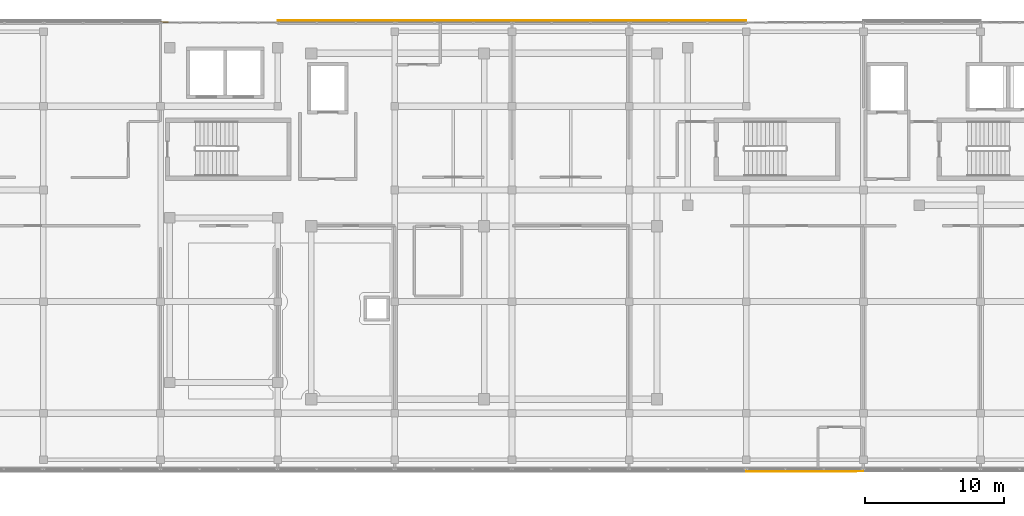
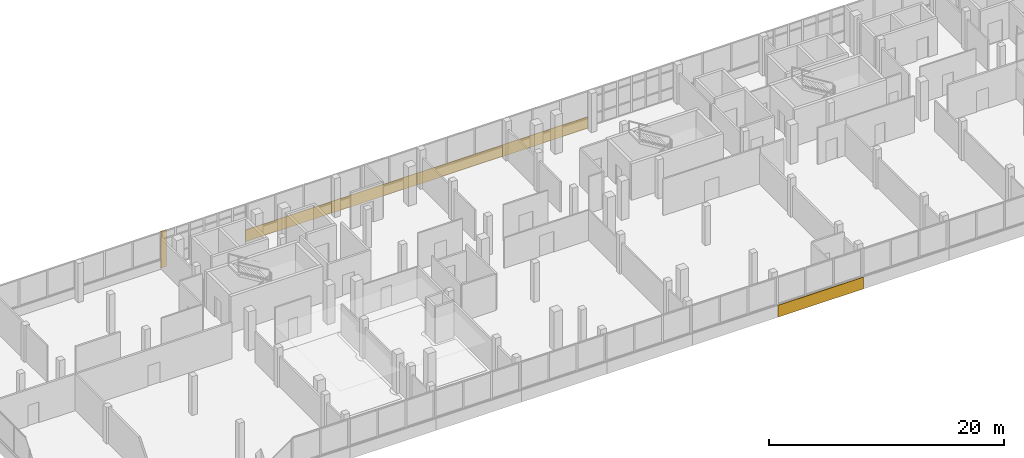
# One storey, part 63 of 66: 6 coverings.
"""IFC4 building model written with IfcOpenShell, lengths in metres."""

import ifcopenshell
import ifcopenshell.guid

model = None  # the IFC model being written
_history = None  # IfcOwnerHistory: only IFC2X3 demands one
_inside = {}  # id of a spatial element -> (the spatial element, [elements in it])
_under = {}  # id of a project, library or spatial element -> (it, [spatial elements below it])
_declared = {}  # id of a project -> (the project, [libraries it declares])
_typed = {}  # id of a type object -> (the type object, [elements of that type])
_made_of = {}  # id of a material, layer set ... -> (it, [elements and type objects made of it])


def new_model(schema):
    """Start an empty IFC model of exactly this schema.

    Asked for "IFC4X3", IfcOpenShell would pick the latest addendum, in which some entities
    have other attributes; the version numbers below select the first issue.
    IFC2X3 requires an IfcOwnerHistory on every rooted entity: one is made here for all.
    """
    global model, _history
    if schema == "IFC4X3":
        model = ifcopenshell.file(schema_version=(4, 3, 0, 0))
    else:
        model = ifcopenshell.file(schema=schema)
    _inside.clear()
    _under.clear()
    _declared.clear()
    _typed.clear()
    _made_of.clear()
    _history = None
    if model.schema == "IFC2X3":
        org = make("IfcOrganization", Name="unknown")
        user = make(
            "IfcPersonAndOrganization",
            ThePerson=make("IfcPerson", FamilyName="unknown"),
            TheOrganization=org,
        )
        app = make(
            "IfcApplication",
            ApplicationDeveloper=org,
            Version="unknown",
            ApplicationFullName="unknown",
            ApplicationIdentifier="unknown",
        )
        _history = make(
            "IfcOwnerHistory",
            OwningUser=user,
            OwningApplication=app,
            ChangeAction="ADDED",
            CreationDate=0,
        )
    return model


def make(cls, **values):
    """One entity of the class cls with the attributes given. An attribute that is None is left unset."""
    return model.create_entity(
        cls, **{name: value for name, value in values.items() if value is not None}
    )


def rooted(cls, **values):
    """An entity with a GlobalId (a new one), such as an element, a storey or a relation."""
    return make(cls, GlobalId=ifcopenshell.guid.new(), OwnerHistory=_history, **values)


def si_unit(unit_type, name, prefix=None):
    """IfcSIUnit, for example si_unit("LENGTHUNIT", "METRE", prefix="MILLI")."""
    return make("IfcSIUnit", UnitType=unit_type, Prefix=prefix, Name=name)


def assignment(units):
    """IfcUnitAssignment: the units of a project."""
    return None if units is None else make("IfcUnitAssignment", Units=units)


def point(xyz):
    """IfcCartesianPoint."""
    return None if xyz is None else make("IfcCartesianPoint", Coordinates=xyz)


def direction(xyz):
    """IfcDirection."""
    return None if xyz is None else make("IfcDirection", DirectionRatios=xyz)


def frame(location, z_axis=None, x_axis=None):
    """IfcAxis2Placement3D, a coordinate frame: its origin and axes. An axis left out is left unset."""
    return make(
        "IfcAxis2Placement3D",
        Location=point(location),
        Axis=direction(z_axis),
        RefDirection=direction(x_axis),
    )


def frame_2d(location, x_axis=None):
    """IfcAxis2Placement2D, a coordinate frame in the plane: its origin and x axis."""
    return make(
        "IfcAxis2Placement2D", Location=point(location), RefDirection=direction(x_axis)
    )


def origin():
    """The frame at (0, 0, 0) with its axes left unset."""
    return frame((0.0, 0.0, 0.0))


def origin_2d():
    """The frame at (0, 0) in the plane with its x axis left unset."""
    return frame_2d((0.0, 0.0))


def place(relative_to, where):
    """IfcLocalPlacement: puts the frame where relative to a parent placement (None: the world)."""
    return make(
        "IfcLocalPlacement", PlacementRelTo=relative_to, RelativePlacement=where
    )


def context(
    kind, dimensions, precision=None, world=None, true_north=None, identifier=None
):
    """IfcGeometricRepresentationContext, for example the 3D "Model" context."""
    return make(
        "IfcGeometricRepresentationContext",
        ContextIdentifier=identifier,
        ContextType=kind,
        CoordinateSpaceDimension=dimensions,
        Precision=precision,
        WorldCoordinateSystem=world,
        TrueNorth=true_north,
    )


def subcontext(parent, identifier, kind, view, scale=None):
    """IfcGeometricRepresentationSubContext, for example "Body" below "Model"."""
    return make(
        "IfcGeometricRepresentationSubContext",
        ContextIdentifier=identifier,
        ContextType=kind,
        ParentContext=parent,
        TargetScale=scale,
        TargetView=view,
    )


def project(units=None, contexts=None):
    """IfcProject with its units and contexts."""
    return rooted(
        "IfcProject",
        Name="project",
        RepresentationContexts=contexts,
        UnitsInContext=assignment(units),
    )


def spatial(cls, under=None, at=None, **own):
    """A site, building, storey or space (cls), placed at a placement, below another one or the project."""
    s = rooted(cls, ObjectPlacement=at, **own)
    if under is not None:
        _under.setdefault(under.id(), (under, []))[1].append(s)
    return s


def profile(cls, at=None, kind="AREA", **sizes):
    """A parametric profile (cls). Its sizes go by their IFC names, for example OverallWidth=200.0."""
    return make(cls, ProfileType=kind, Position=at, **sizes)


def rectangle(**sizes):
    """IfcRectangleProfileDef."""
    return profile("IfcRectangleProfileDef", **sizes)


def extrude(swept, where, along, depth):
    """IfcExtrudedAreaSolid: the profile swept, set in the frame where, extruded along a direction by depth."""
    return make(
        "IfcExtrudedAreaSolid",
        SweptArea=swept,
        Position=where,
        ExtrudedDirection=direction(along),
        Depth=depth,
    )


def shape(context_of_items, identifier, shape_type, items):
    """IfcShapeRepresentation: the items that make up one representation, for example the "Body"."""
    return make(
        "IfcShapeRepresentation",
        ContextOfItems=context_of_items,
        RepresentationIdentifier=identifier,
        RepresentationType=shape_type,
        Items=items,
    )


def material(Name=None, Category=None):
    """IfcMaterial."""
    return make("IfcMaterial", Name=Name, Category=Category)


def layer(
    of_material, thickness, ventilated=None, Name=None, Category=None, Priority=None
):
    """IfcMaterialLayer: one layer of a wall or slab, of a material (None: an air gap)."""
    return make(
        "IfcMaterialLayer",
        Material=of_material,
        LayerThickness=thickness,
        IsVentilated=ventilated,
        Name=Name,
        Category=Category,
        Priority=Priority,
    )


def layer_set(layers, Name=None):
    """IfcMaterialLayerSet."""
    return make("IfcMaterialLayerSet", MaterialLayers=layers, LayerSetName=Name)


def made_of(thing, what):
    """Note that an element or type object is made of a material, layer set ...; save() writes the relation."""
    if what is not None:
        _made_of.setdefault(what.id(), (what, []))[1].append(thing)
    return thing


def type_object(cls, material=None, **own):
    """A type object (cls), such as IfcWallType, which elements share."""
    return made_of(rooted(cls, **own), material)


def element(
    cls,
    number,
    at=None,
    inside=None,
    cuts=None,
    type_object=None,
    material=None,
    context=None,
    identifier="Body",
    shape_type=None,
    held_by="IfcProductDefinitionShape",
    body=None,
    shapes=None,
    **own,
):
    """One element of the class cls, such as IfcWall. Its Tag is "e" and its number.

    at: its placement. inside: the storey or other place that contains it. cuts: it is an
    opening in that element (IfcRelVoidsElement). A single representation is given by context,
    identifier, shape_type and body (its items); several are given by shapes. held_by: the class
    of the entity that holds the representations. save() writes the other relations.
    """
    e = rooted(cls, Tag="e%d" % number, ObjectPlacement=at, **own)
    if body is not None:
        shapes = [shape(context, identifier, shape_type, body)]
    if shapes is not None:
        e.Representation = make(held_by, Representations=shapes)
    if inside is not None:
        _inside.setdefault(inside.id(), (inside, []))[1].append(e)
    if cuts is not None:
        rooted(
            "IfcRelVoidsElement", RelatingBuildingElement=cuts, RelatedOpeningElement=e
        )
    if type_object is not None:
        _typed.setdefault(type_object.id(), (type_object, []))[1].append(e)
    return made_of(e, material)


def aggregate(whole, parts):
    """IfcRelAggregates: a whole, such as a stair, and the parts it consists of."""
    return rooted("IfcRelAggregates", RelatingObject=whole, RelatedObjects=parts)


def save(model, path):
    """Write the relations noted so far, then the file.

    IfcRelAggregates (storeys below a building ...), IfcRelContainedInSpatialStructure (elements
    in a storey), IfcRelDefinesByType, IfcRelAssociatesMaterial and IfcRelDeclares: one each for
    every whole, place, type object, material and project.
    """
    for whole, parts in _under.values():
        aggregate(whole, parts)
    for where, things in _inside.values():
        rooted(
            "IfcRelContainedInSpatialStructure",
            RelatedElements=things,
            RelatingStructure=where,
        )
    for kind, things in _typed.values():
        rooted("IfcRelDefinesByType", RelatedObjects=things, RelatingType=kind)
    for what, things in _made_of.values():
        rooted("IfcRelAssociatesMaterial", RelatedObjects=things, RelatingMaterial=what)
    for by, libraries in _declared.values():
        rooted("IfcRelDeclares", RelatingContext=by, RelatedDefinitions=libraries)
    model.write(path)


model = new_model("IFC4")

# Units and contexts
model_context = context("Model", 3, precision=1e-05, world=origin(), true_north=direction((0.0, 1.0)))
body_context = subcontext(model_context, "Body", "Model", "MODEL_VIEW")
ifc_project = project(units=[si_unit("LENGTHUNIT", "METRE"), si_unit("AREAUNIT", "SQUARE_METRE"), si_unit("VOLUMEUNIT", "CUBIC_METRE"), si_unit("PLANEANGLEUNIT", "RADIAN"), si_unit("MASSUNIT", "GRAM", prefix="KILO")], contexts=[model_context])

# Site, building, storey
site_placement = place(None, origin())
site = spatial("IfcSite", under=ifc_project, at=site_placement, CompositionType="ELEMENT")
building_placement = place(site_placement, origin())
building = spatial("IfcBuilding", under=site, at=building_placement, Name="Selatvlak General Hospital", CompositionType="ELEMENT")
storey_placement = place(building_placement, frame((0.0, 0.0, 31.35009765625)))
storey = spatial("IfcBuildingStorey", under=building, at=storey_placement, Name="L07", CompositionType="ELEMENT", Elevation=31.35009765625)

# Coverings
ifc_material = material(Name="White Bauhaus fair-faced cladding panel")
ifc_layer = layer(ifc_material, 0.054931640625, Name="White Bauhaus fair-faced cladding panel")
ifc_layer_set = layer_set([ifc_layer], Name="White Bauhaus fair-faced cladding panel")
covering_type = type_object("IfcCoveringType", Name="COV-WHT1", PredefinedType="CLADDING", material=ifc_layer_set)
covering_placement = place(storey_placement, frame((48.27490234375, 120.0439453125, -0.00048828125), z_axis=(0.0, 0.0, 1.0), x_axis=(1.0, 0.0, 0.0)))
element("IfcCovering", 1, at=covering_placement, inside=storey, type_object=covering_type, Name="L07 Bauhaus vertical core pilaster 0500", PredefinedType="CLADDING", context=body_context, shape_type="SweptSolid", body=[
    extrude(rectangle(XDim=0.550048828125, YDim=0.054931640625, at=origin_2d()), origin(), (0.0, 0.0, 1.0), 3.784912109375),
])
for number, where, z_axis, x_axis, name in (
    (2, (60.60009765625, 120.1640625, -0.2802734375), (0.0, 0.0, 1.0), (1.0, 0.0, 0.0), "L07 Bauhaus horizontal white spandrel band 0501"),
    (3, (69.0, 120.1640625, -0.2802734375), (0.0, 0.0, 1.0), (1.0, 0.0, 0.0), "L07 Bauhaus horizontal white spandrel band 0502"),
    (4, (77.39990234375, 120.1640625, -0.2802734375), (0.0, 0.0, 1.0), (1.0, 0.0, 0.0), "L07 Bauhaus horizontal white spandrel band 0503"),
    (5, (85.800048828125, 120.1640625, -0.2802734375), (0.0, 0.0, 1.0), (1.0, 0.0, 0.0), "L07 Bauhaus horizontal white spandrel band 0504"),
    (6, (94.199951171875, 87.8359375, -0.2802734375), (0.0, 0.0, 1.0), (-0.999999992537, -0.000122173047, 0.0), "L07 Bauhaus horizontal white spandrel band 0525"),
):
    element("IfcCovering", number, at=place(storey_placement, frame(where, z_axis=z_axis, x_axis=x_axis)), inside=storey, type_object=covering_type, Name=name, PredefinedType="CLADDING", context=body_context, shape_type="SweptSolid", body=[
        extrude(rectangle(XDim=8.39990234375, YDim=0.054931640625, at=origin_2d()), origin(), (0.0, 0.0, 1.0), 1.219970703125),
    ])

save(model, "model.ifc")
